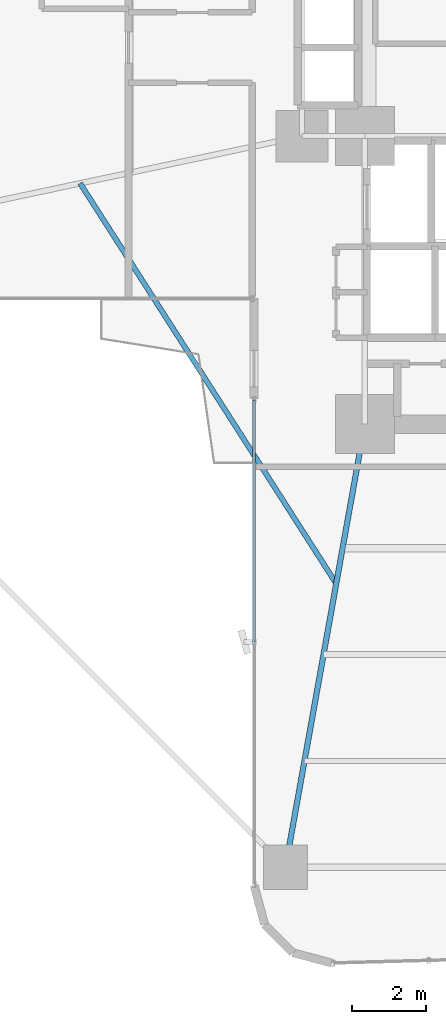
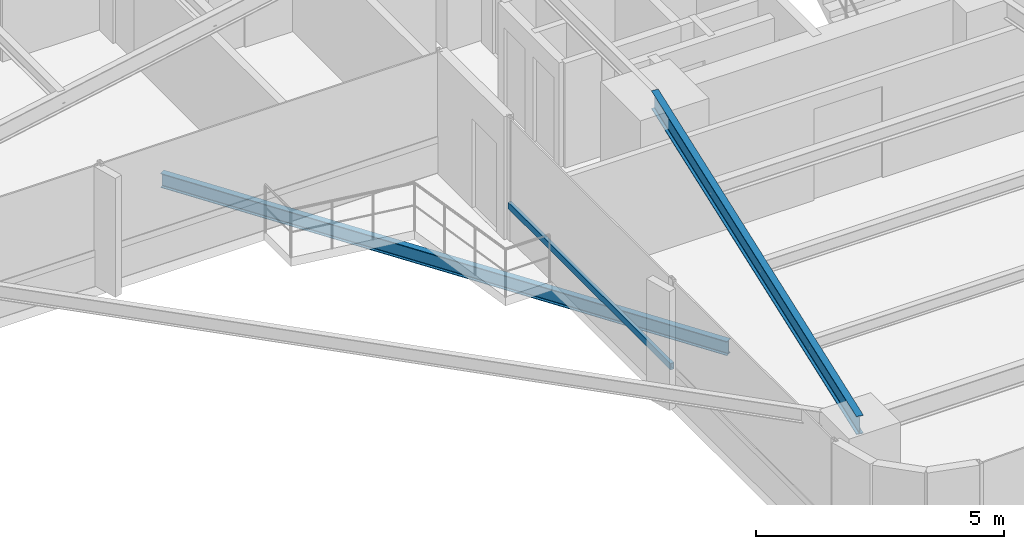
# One storey, part 3 of 25: 2 beams, 1 member, 1 element without a shape of its own.
"""IFC4 building model written with IfcOpenShell, lengths in metres."""

from ifc_helpers import new_model, si_unit, direction, frame, origin, origin_2d, place, context, subcontext, project, spatial, hollow_rectangle, i_section, extrude, source, transform, mapped, material, material_profile, profile_set, type_object, element, aggregate, save


model = new_model("IFC4")

# Units and contexts
model_context = context("Model", 3, precision=1e-05, world=origin(), true_north=direction((0.0, 1.0)))
body_context = subcontext(model_context, "Body", "Model", "MODEL_VIEW")
ifc_project = project(units=[si_unit("LENGTHUNIT", "METRE"), si_unit("AREAUNIT", "SQUARE_METRE"), si_unit("VOLUMEUNIT", "CUBIC_METRE"), si_unit("PLANEANGLEUNIT", "RADIAN"), si_unit("MASSUNIT", "GRAM", prefix="KILO")], contexts=[model_context])

# Site, building, storey
site_placement = place(None, origin())
site = spatial("IfcSite", under=ifc_project, at=site_placement, CompositionType="ELEMENT")
building_placement = place(site_placement, origin())
building = spatial("IfcBuilding", under=site, at=building_placement, Name="Sahyath Konkavel Grand Hotel", CompositionType="ELEMENT")
storey_placement = place(building_placement, frame((0.0, 0.0, 71.14990234375)))
storey = spatial("IfcBuildingStorey", under=building, at=storey_placement, Name="L19", CompositionType="ELEMENT", Elevation=71.14990234375)

# Beam
ifc_material_1 = material(Name="Steel E350", Category="steel")
ifc_material_profile_1 = material_profile(ifc_material_1, i_section(OverallWidth=0.14990234375, OverallDepth=0.449951171875, WebThickness=0.009521484375, FlangeThickness=0.017333984375, FilletRadius=0.014892578125, at=origin_2d()), Name="ISMB 450")
ifc_profile_set_1 = profile_set([ifc_material_profile_1], Name="Steel E350")
beam_type_1 = type_object("IfcBeamType", Name="BM-ISMB450", PredefinedType="BEAM", material=ifc_profile_set_1)
shared_shape_1 = source(origin(), body_context, "Body", "SweptSolid", [
    extrude(i_section(OverallWidth=0.14990234375, OverallDepth=0.449951171875, WebThickness=0.009521484375, FlangeThickness=0.017333984375, FilletRadius=0.014892578125, at=origin_2d()), origin(), (0.0, 0.0, 1.0), 12.191162109375),
])
beam_1_placement = place(storey_placement, frame((-3.800048828125, -10.199951171875, 2.80517578125), z_axis=(-0.176350650305, -0.984327409014, 0.0), x_axis=(0.984327409014, -0.176350650305, 0.0)))
element("IfcBeam", 1, at=beam_1_placement, inside=storey, type_object=beam_type_1, Name="L19 Cruciform Radial Girder SA", PredefinedType="BEAM", context=body_context, shape_type="MappedRepresentation", body=[
    mapped(shared_shape_1, transform((0.0, 0.0, 0.0), scale=1.0)),
])

# Curtain wall, member
ifc_material_2 = material(Name="Anodised Bronze Aluminium & Low-E Glazing", Category="aluminium")
curtain_wall_type = type_object("IfcCurtainWallType", Name="CW-ZONE1", PredefinedType="NOTDEFINED", material=ifc_material_2)
curtain_wall_placement = place(storey_placement, origin())
curtain_wall = element("IfcCurtainWall", 2, at=curtain_wall_placement, inside=storey, type_object=curtain_wall_type, Name="L19 Unitised Curtain Wall F24", PredefinedType="NOTDEFINED")
ifc_material_3 = material(Name="Anodised Bronze Aluminium", Category="aluminium")
ifc_material_profile_2 = material_profile(ifc_material_3, hollow_rectangle(XDim=0.080078125, YDim=0.159912109375, WallThickness=0.006103515625, at=origin_2d()), Name="RHS 160x80x6")
ifc_profile_set_2 = profile_set([ifc_material_profile_2], Name="Anodised Bronze Aluminium")
member_type = type_object("IfcMemberType", Name="CW-TRN-160", PredefinedType="USERDEFINED", material=ifc_profile_set_2)
shared_shape_2 = source(origin(), body_context, "Body", "SweptSolid", [
    extrude(hollow_rectangle(XDim=0.080078125, YDim=0.159912109375, WallThickness=0.006103515625, at=origin_2d()), origin(), (0.0, 0.0, 1.0), 6.56005859375),
])
member_placement = place(storey_placement, frame((-6.800048828125, -9.5400390625, 0.85009765625), z_axis=(0.0, -1.0, 0.0), x_axis=(1.0, 0.0, 0.0)))
member = element("IfcMember", 3, at=member_placement, type_object=member_type, Name="L19 Curtain Wall Transom F24-0-spandrel", ObjectType="TRANSOM", PredefinedType="USERDEFINED", context=body_context, shape_type="MappedRepresentation", body=[
    mapped(shared_shape_2, transform((0.0, 0.0, 0.0), scale=1.0)),
])
aggregate(curtain_wall, [member])

# Beam
ifc_material_profile_3 = material_profile(ifc_material_1, i_section(OverallWidth=0.139892578125, OverallDepth=0.35009765625, WebThickness=0.008056640625, FlangeThickness=0.01416015625, FilletRadius=0.013916015625, at=origin_2d()), Name="ISMB 350")
ifc_profile_set_3 = profile_set([ifc_material_profile_3], Name="Steel E350")
beam_type_2 = type_object("IfcBeamType", Name="BM-BALC-CANT", PredefinedType="BEAM", material=ifc_profile_set_3)
shared_shape_3 = source(origin(), body_context, "Body", "SweptSolid", [
    extrude(i_section(OverallWidth=0.139892578125, OverallDepth=0.35009765625, WebThickness=0.008056640625, FlangeThickness=0.01416015625, FilletRadius=0.013916015625, at=origin_2d()), origin(), (0.0, 0.0, 1.0), 12.871826171875),
])
beam_2_placement = place(storey_placement, frame((-11.511962890625, -3.677978515625, -0.414794921875), z_axis=(0.539003102535, -0.842303778608, 0.0), x_axis=(0.842303778608, 0.539003102535, 0.0)))
element("IfcBeam", 4, at=beam_2_placement, inside=storey, type_object=beam_type_2, Name="L19 Balcony Cantilever Support Beam SW", PredefinedType="BEAM", context=body_context, shape_type="MappedRepresentation", body=[
    mapped(shared_shape_3, transform((0.0, 0.0, 0.0), scale=1.0)),
])

save(model, "model.ifc")
